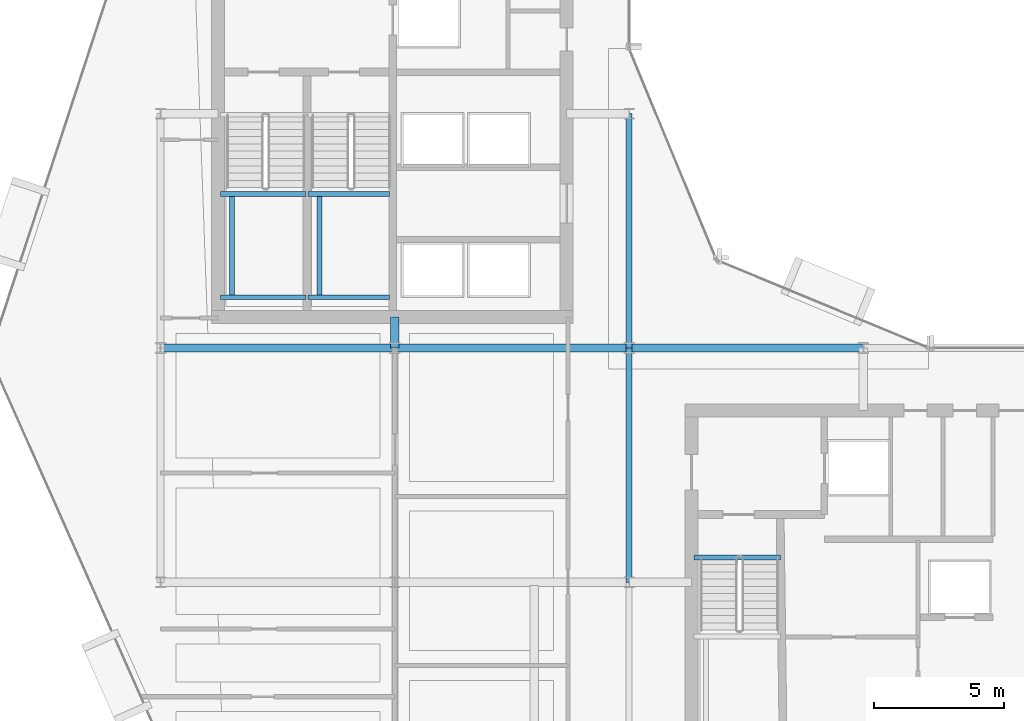
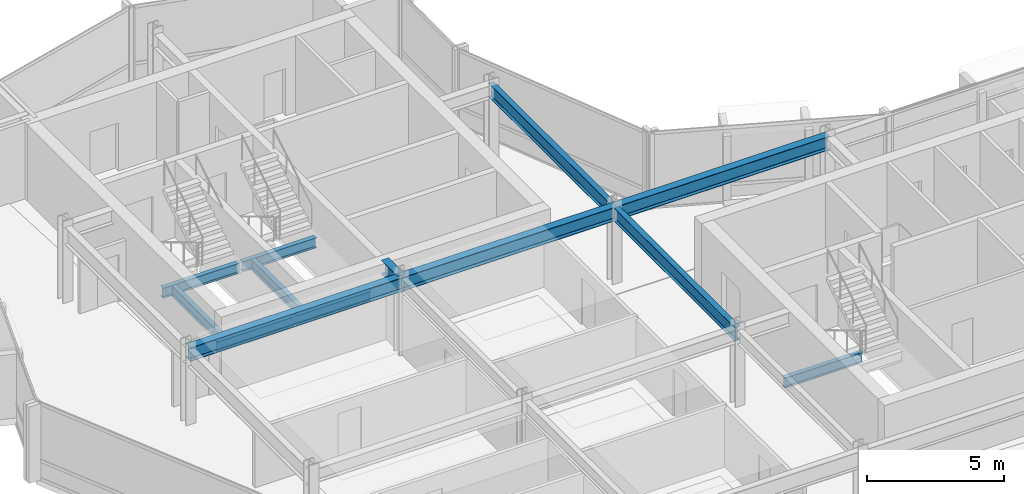
# One storey, part 7 of 27: 13 beams.
"""IFC4 building model written with IfcOpenShell, lengths in metres."""

from ifc_helpers import new_model, si_unit, direction, frame, origin, origin_2d, place, context, subcontext, project, spatial, i_section, extrude, material, material_profile, profile_set, type_object, element, save


model = new_model("IFC4")

# Units and contexts
model_context = context("Model", 3, precision=1e-05, world=origin(), true_north=direction((0.0, 1.0)))
body_context = subcontext(model_context, "Body", "Model", "MODEL_VIEW")
ifc_project = project(units=[si_unit("LENGTHUNIT", "METRE"), si_unit("AREAUNIT", "SQUARE_METRE"), si_unit("VOLUMEUNIT", "CUBIC_METRE"), si_unit("PLANEANGLEUNIT", "RADIAN"), si_unit("MASSUNIT", "GRAM", prefix="KILO")], contexts=[model_context])

# Site, building, storey
site_placement = place(None, origin())
site = spatial("IfcSite", under=ifc_project, at=site_placement, CompositionType="ELEMENT")
building_placement = place(site_placement, origin())
building = spatial("IfcBuilding", under=site, at=building_placement, Name="Solvaryn Broadcast Tower", CompositionType="ELEMENT")
storey_placement = place(building_placement, frame((0.0, 0.0, 174.199951171875)))
storey = spatial("IfcBuildingStorey", under=building, at=storey_placement, Name="L43", CompositionType="ELEMENT", Elevation=174.199951171875)

# Beams
ifc_material_1 = material(Name="Steel ASTM A992 Grade 50", Category="steel")
ifc_material_profile_1 = material_profile(ifc_material_1, i_section(OverallWidth=0.323974609375, OverallDepth=0.611083984375, WebThickness=0.0126953125, FlangeThickness=0.01904296875, FilletRadius=0.014892578125, at=origin_2d()))
ifc_profile_set_1 = profile_set([ifc_material_profile_1], Name="Steel ASTM A992 Grade 50")
beam_type_1 = type_object("IfcBeamType", Name="BM-B1-W24X104", PredefinedType="BEAM", material=ifc_profile_set_1)
for number, where, z_axis, x_axis, name in (
    (1, (9.0, 27.0, 3.114501953125), (1.0, 0.0, 0.0), (0.0, 1.0, 0.0), "L43 Primary Beam X (9-18 @ Y=27)"),
    (2, (18.0, 27.0, 3.114501953125), (1.0, 0.0, 0.0), (0.0, 1.0, 0.0), "L43 Primary Beam X (18-27 @ Y=27)"),
    (3, (27.0, 27.0, 3.114501953125), (1.0, 0.0, 0.0), (0.0, 1.0, 0.0), "L43 Primary Beam X (27-36 @ Y=27)"),
):
    element("IfcBeam", number, at=place(storey_placement, frame(where, z_axis=z_axis, x_axis=x_axis)), inside=storey, type_object=beam_type_1, Name=name, PredefinedType="BEAM", context=body_context, shape_type="SweptSolid", body=[
        extrude(i_section(OverallWidth=0.323974609375, OverallDepth=0.611083984375, WebThickness=0.0126953125, FlangeThickness=0.01904296875, FilletRadius=0.014892578125, at=origin_2d()), origin(), (0.0, 0.0, 1.0), 9.0),
    ])
beam_1_placement = place(storey_placement, frame((18.0, 27.0, 3.114501953125), z_axis=(0.0, 1.0, 0.0), x_axis=(-1.0, 0.0, 0.0)))
element("IfcBeam", 4, at=beam_1_placement, inside=storey, type_object=beam_type_1, Name="L43 Core Tie Beam CTW4", PredefinedType="BEAM", context=body_context, shape_type="SweptSolid", body=[
    extrude(i_section(OverallWidth=0.323974609375, OverallDepth=0.611083984375, WebThickness=0.0126953125, FlangeThickness=0.01904296875, FilletRadius=0.014892578125, at=origin_2d()), origin(), (0.0, 0.0, 1.0), 1.199951171875),
])
ifc_material_2 = material(Name="Steel ASTM A992 Grade 50", Category="steel")
ifc_material_profile_2 = material_profile(ifc_material_2, i_section(OverallWidth=0.22802734375, OverallDepth=0.60791015625, WebThickness=0.01123046875, FlangeThickness=0.017333984375, FilletRadius=0.014892578125, at=origin_2d()))
ifc_profile_set_2 = profile_set([ifc_material_profile_2], Name="Steel ASTM A992 Grade 50")
beam_type_2 = type_object("IfcBeamType", Name="BM-B2-W24X76", PredefinedType="BEAM", material=ifc_profile_set_2)
for number, where, z_axis, x_axis, name in (
    (5, (27.0, 18.0, 3.115966796875), (0.0, 1.0, 0.0), (-1.0, 0.0, 0.0), "L43 Primary Beam Y (18-27 @ X=27)"),
    (6, (27.0, 27.0, 3.115966796875), (0.0, 1.0, 0.0), (-1.0, 0.0, 0.0), "L43 Primary Beam Y (27-36 @ X=27)"),
):
    element("IfcBeam", number, at=place(storey_placement, frame(where, z_axis=z_axis, x_axis=x_axis)), inside=storey, type_object=beam_type_2, Name=name, PredefinedType="BEAM", context=body_context, shape_type="SweptSolid", body=[
        extrude(i_section(OverallWidth=0.22802734375, OverallDepth=0.60791015625, WebThickness=0.01123046875, FlangeThickness=0.017333984375, FilletRadius=0.014892578125, at=origin_2d()), origin(), (0.0, 0.0, 1.0), 9.0),
    ])
ifc_material_3 = material(Name="Steel ASTM A992 Grade 50", Category="steel")
ifc_material_profile_3 = material_profile(ifc_material_3, i_section(OverallWidth=0.18994140625, OverallDepth=0.45703125, WebThickness=0.009033203125, FlangeThickness=0.014404296875, FilletRadius=0.011962890625, at=origin_2d()))
ifc_profile_set_3 = profile_set([ifc_material_profile_3], Name="Steel ASTM A992 Grade 50")
beam_type_3 = type_object("IfcBeamType", Name="BM-B4-W18X50", PredefinedType="BEAM", material=ifc_profile_set_3)
for number, where, z_axis, x_axis, name in (
    (7, (11.300048828125, 28.949951171875, 1.421630859375), (1.0, 0.0, 0.0), (0.0, 1.0, 0.0), "L43 ST1 Landing Support Beam 1A"),
    (8, (11.300048828125, 32.909912109375, 1.421630859375), (1.0, 0.0, 0.0), (0.0, 1.0, 0.0), "L43 ST1 Landing Support Beam 1B"),
):
    element("IfcBeam", number, at=place(storey_placement, frame(where, z_axis=z_axis, x_axis=x_axis)), inside=storey, type_object=beam_type_3, Name=name, PredefinedType="BEAM", context=body_context, shape_type="SweptSolid", body=[
        extrude(i_section(OverallWidth=0.18994140625, OverallDepth=0.45703125, WebThickness=0.009033203125, FlangeThickness=0.014404296875, FilletRadius=0.011962890625, at=origin_2d()), origin(), (0.0, 0.0, 1.0), 3.280029296875),
    ])
beam_2_placement = place(storey_placement, frame((11.75, 28.949951171875, 1.421630859375), z_axis=(0.0, 1.0, 0.0), x_axis=(-1.0, 0.0, 0.0)))
element("IfcBeam", 9, at=beam_2_placement, inside=storey, type_object=beam_type_3, Name="L43 ST1 Landing Cross Stringer 1C", PredefinedType="BEAM", context=body_context, shape_type="SweptSolid", body=[
    extrude(i_section(OverallWidth=0.18994140625, OverallDepth=0.45703125, WebThickness=0.009033203125, FlangeThickness=0.014404296875, FilletRadius=0.011962890625, at=origin_2d()), origin(), (0.0, 0.0, 1.0), 3.9599609375),
])
for number, where, z_axis, x_axis, name in (
    (10, (14.659912109375, 28.949951171875, 1.421630859375), (1.0, 0.0, 0.0), (0.0, 1.0, 0.0), "L43 ST2 Landing Support Beam 1A"),
    (11, (14.659912109375, 32.909912109375, 1.421630859375), (1.0, 0.0, 0.0), (0.0, 1.0, 0.0), "L43 ST2 Landing Support Beam 1B"),
):
    element("IfcBeam", number, at=place(storey_placement, frame(where, z_axis=z_axis, x_axis=x_axis)), inside=storey, type_object=beam_type_3, Name=name, PredefinedType="BEAM", context=body_context, shape_type="SweptSolid", body=[
        extrude(i_section(OverallWidth=0.18994140625, OverallDepth=0.45703125, WebThickness=0.009033203125, FlangeThickness=0.014404296875, FilletRadius=0.011962890625, at=origin_2d()), origin(), (0.0, 0.0, 1.0), 3.14013671875),
    ])
beam_3_placement = place(storey_placement, frame((15.110107421875, 28.949951171875, 1.421630859375), z_axis=(0.0, 1.0, 0.0), x_axis=(-1.0, 0.0, 0.0)))
element("IfcBeam", 12, at=beam_3_placement, inside=storey, type_object=beam_type_3, Name="L43 ST2 Landing Cross Stringer 1C", PredefinedType="BEAM", context=body_context, shape_type="SweptSolid", body=[
    extrude(i_section(OverallWidth=0.18994140625, OverallDepth=0.45703125, WebThickness=0.009033203125, FlangeThickness=0.014404296875, FilletRadius=0.011962890625, at=origin_2d()), origin(), (0.0, 0.0, 1.0), 3.9599609375),
])
beam_4_placement = place(storey_placement, frame((29.5, 18.9599609375, -0.508544921875), z_axis=(1.0, 0.0, 0.0), x_axis=(0.0, 1.0, 0.0)))
element("IfcBeam", 13, at=beam_4_placement, inside=storey, type_object=beam_type_3, Name="L43 ST3 Stair Well Trimmer Beam", PredefinedType="BEAM", context=body_context, shape_type="SweptSolid", body=[
    extrude(i_section(OverallWidth=0.18994140625, OverallDepth=0.45703125, WebThickness=0.009033203125, FlangeThickness=0.014404296875, FilletRadius=0.011962890625, at=origin_2d()), origin(), (0.0, 0.0, 1.0), 3.320068359375),
])

save(model, "model.ifc")
